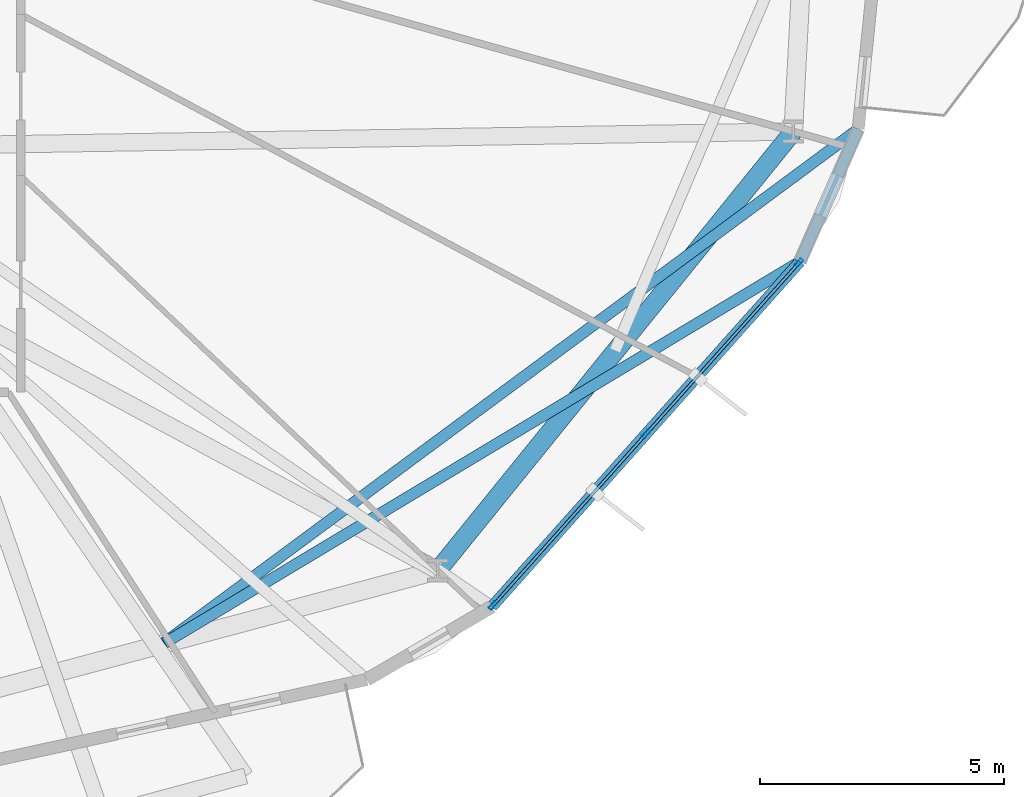
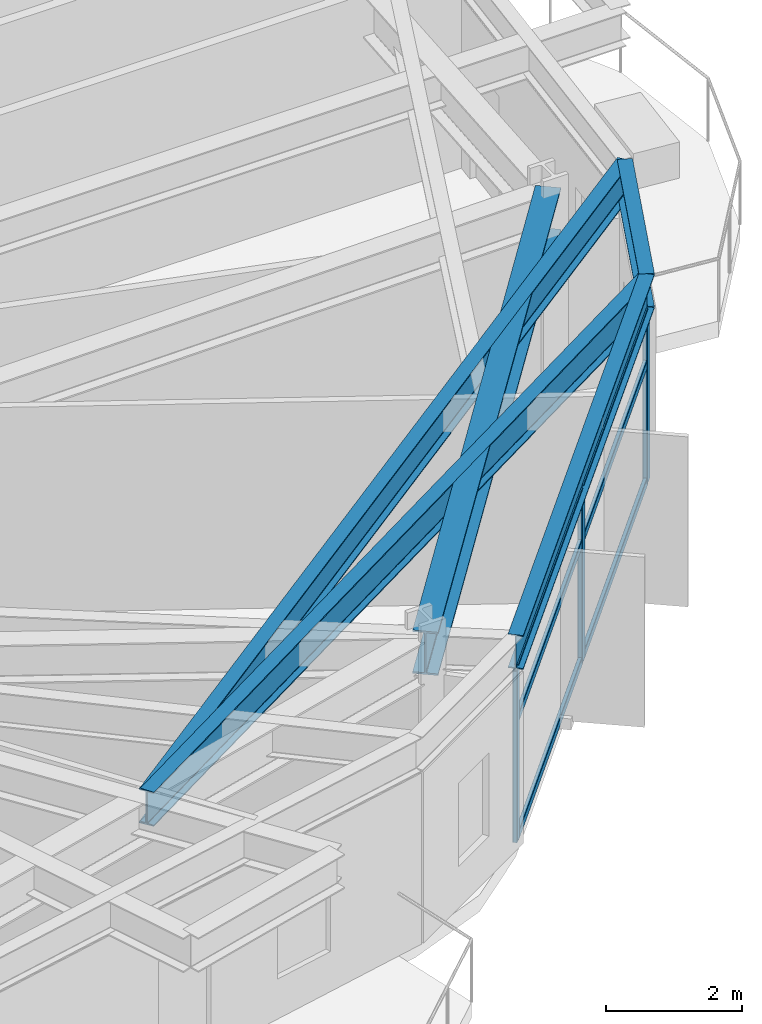
# One storey, part 8 of 22: 9 members, 5 beams, 1 element without a shape of its own.
"""IFC4 building model written with IfcOpenShell, lengths in metres."""

from ifc_helpers import new_model, si_unit, direction, frame, origin, origin_2d, place, context, subcontext, project, spatial, hollow_rectangle, i_section, extrude, material, layer, layer_set, material_profile, profile_set, type_object, element, aggregate, save


model = new_model("IFC4")

# Units and contexts
model_context = context("Model", 3, precision=1e-05, world=origin(), true_north=direction((0.0, 1.0)))
body_context = subcontext(model_context, "Body", "Model", "MODEL_VIEW")
ifc_project = project(units=[si_unit("LENGTHUNIT", "METRE"), si_unit("AREAUNIT", "SQUARE_METRE"), si_unit("VOLUMEUNIT", "CUBIC_METRE"), si_unit("PLANEANGLEUNIT", "RADIAN"), si_unit("MASSUNIT", "GRAM", prefix="KILO")], contexts=[model_context])

# Site, building, storey
site_placement = place(None, origin())
site = spatial("IfcSite", under=ifc_project, at=site_placement, CompositionType="ELEMENT")
building_placement = place(site_placement, origin())
building = spatial("IfcBuilding", under=site, at=building_placement, Name="Soratama Intermodal Tower", CompositionType="ELEMENT")
storey_placement = place(building_placement, frame((0.0, 0.0, 74.60009765625)))
storey = spatial("IfcBuildingStorey", under=building, at=storey_placement, Name="L17", CompositionType="ELEMENT", Elevation=74.60009765625)

# Beams
ifc_material_1 = material(Name="Structural steel ASTM A992 Grade 50", Category="steel")
ifc_material_profile_1 = material_profile(ifc_material_1, i_section(OverallWidth=0.382080078125, OverallDepth=0.779052734375, WebThickness=0.01806640625, FlangeThickness=0.030029296875, FilletRadius=0.01806640625, at=origin_2d()), Name="W30X191")
ifc_profile_set_1 = profile_set([ifc_material_profile_1], Name="Structural steel ASTM A992 Grade 50")
beam_type_1 = type_object("IfcBeamType", Name="BM-RING-W30X191", PredefinedType="BEAM", material=ifc_profile_set_1)
beam_1_placement = place(storey_placement, frame((55.196044921875, 9.300048828125, 3.310302734375), z_axis=(0.629334198857, 0.777134779912, 0.0), x_axis=(-0.777134779912, 0.629334198857, 0.0)))
element("IfcBeam", 1, at=beam_1_placement, inside=storey, type_object=beam_type_1, Name="BM-L17-RING-09", PredefinedType="BEAM", context=body_context, shape_type="SweptSolid", body=[
    extrude(i_section(OverallWidth=0.382080078125, OverallDepth=0.779052734375, WebThickness=0.01806640625, FlangeThickness=0.030029296875, FilletRadius=0.01806640625, at=origin_2d()), origin(), (0.0, 0.0, 1.0), 11.5693359375),
])
ifc_material_2 = material(Name="Structural steel ASTM A992 Grade 50", Category="steel")
ifc_material_profile_2 = material_profile(ifc_material_2, i_section(OverallWidth=0.22900390625, OverallDepth=0.612060546875, WebThickness=0.011962890625, FlangeThickness=0.01953125, FilletRadius=0.012939453125, at=origin_2d()), Name="W24X84")
ifc_profile_set_2 = profile_set([ifc_material_profile_2], Name="Structural steel ASTM A992 Grade 50")
beam_type_2 = type_object("IfcBeamType", Name="BM-SPN-W24X84", PredefinedType="SPANDREL", material=ifc_profile_set_2)
beam_2_placement = place(storey_placement, frame((56.302978515625, 8.555908203125, 3.393798828125), z_axis=(0.666034710747, 0.745920749195, 0.0), x_axis=(-0.745920749195, 0.666034710747, 0.0)))
element("IfcBeam", 2, at=beam_2_placement, inside=storey, type_object=beam_type_2, Name="BS-L17-F09", PredefinedType="SPANDREL", context=body_context, shape_type="SweptSolid", body=[
    extrude(i_section(OverallWidth=0.22900390625, OverallDepth=0.612060546875, WebThickness=0.011962890625, FlangeThickness=0.01953125, FilletRadius=0.012939453125, at=origin_2d()), origin(), (0.0, 0.0, 1.0), 9.47705078125),
])
beam_3_placement = place(storey_placement, frame((62.614990234375, 15.625, 3.393798828125), z_axis=(0.402859965055, 0.915261628473, 0.0), x_axis=(-0.915261628473, 0.402859965055, 0.0)))
element("IfcBeam", 3, at=beam_3_placement, inside=storey, type_object=beam_type_2, Name="BS-L17-CRN09", PredefinedType="SPANDREL", context=body_context, shape_type="SweptSolid", body=[
    extrude(i_section(OverallWidth=0.22900390625, OverallDepth=0.612060546875, WebThickness=0.011962890625, FlangeThickness=0.01953125, FilletRadius=0.012939453125, at=origin_2d()), origin(), (0.0, 0.0, 1.0), 2.966552734375),
])
ifc_material_3 = material(Name="Structural steel ASTM A992 Grade 50", Category="steel")
ifc_material_profile_3 = material_profile(ifc_material_3, i_section(OverallWidth=0.22900390625, OverallDepth=0.612060546875, WebThickness=0.011962890625, FlangeThickness=0.01953125, FilletRadius=0.012939453125, at=origin_2d()), Name="W24X84")
ifc_profile_set_3 = profile_set([ifc_material_profile_3], Name="Structural steel ASTM A992 Grade 50")
beam_type_3 = type_object("IfcBeamType", Name="BM-TIE-W24X84", PredefinedType="BEAM", material=ifc_profile_set_3)
beam_4_placement = place(storey_placement, frame((49.60107421875, 7.81201171875, 3.393798828125), z_axis=(0.857358074435, 0.514720440823, 0.0), x_axis=(-0.514720440823, 0.857358074435, 0.0)))
element("IfcBeam", 4, at=beam_4_placement, inside=storey, type_object=beam_type_3, Name="BM-L17-TIE1-09", PredefinedType="BEAM", context=body_context, shape_type="SweptSolid", body=[
    extrude(i_section(OverallWidth=0.22900390625, OverallDepth=0.612060546875, WebThickness=0.011962890625, FlangeThickness=0.01953125, FilletRadius=0.012939453125, at=origin_2d()), origin(), (0.0, 0.0, 1.0), 15.17919921875),
])
beam_5_placement = place(storey_placement, frame((49.5830078125, 7.81103515625, 3.393798828125), z_axis=(0.80381393301, 0.594880795705, 0.0), x_axis=(-0.594880795705, 0.80381393301, 0.0)))
element("IfcBeam", 5, at=beam_5_placement, inside=storey, type_object=beam_type_3, Name="BM-L17-TIE0-10", PredefinedType="BEAM", context=body_context, shape_type="SweptSolid", body=[
    extrude(i_section(OverallWidth=0.22900390625, OverallDepth=0.612060546875, WebThickness=0.011962890625, FlangeThickness=0.01953125, FilletRadius=0.012939453125, at=origin_2d()), origin(), (0.0, 0.0, 1.0), 17.699462890625),
])

# Curtain wall, members
ifc_material_4 = material(Name="Double-glazed aluminium curtain wall", Category="aluminium")
ifc_layer = layer(ifc_material_4, 0.159912109375)
ifc_layer_set = layer_set([ifc_layer], Name="Double-glazed aluminium curtain wall")
curtain_wall_type = type_object("IfcCurtainWallType", Name="CW-SYS-2", PredefinedType="NOTDEFINED", material=ifc_layer_set)
curtain_wall_placement = place(storey_placement, origin())
curtain_wall = element("IfcCurtainWall", 6, at=curtain_wall_placement, inside=storey, type_object=curtain_wall_type, Name="L17 Faceted Curtain Wall F09", PredefinedType="NOTDEFINED")
ifc_material_5 = material(Name="Anodised aluminium AA 6063-T6", Category="aluminium")
ifc_material_profile_4 = material_profile(ifc_material_5, hollow_rectangle(XDim=0.074951171875, YDim=0.179931640625, WallThickness=0.006103515625, InnerFilletRadius=0.006103515625, OuterFilletRadius=0.011962890625, at=origin_2d()), Name="CWM180X75X6")
ifc_profile_set_4 = profile_set([ifc_material_profile_4], Name="Anodised aluminium AA 6063-T6")
member_type_1 = type_object("IfcMemberType", Name="MT-CWM-2", PredefinedType="MULLION", material=ifc_profile_set_4)
member_1_placement = place(storey_placement, frame((56.322998046875, 8.578125, 0.0), z_axis=(0.0, 0.0, 1.0), x_axis=(-0.745936912726, 0.666016608076, 0.0)))
member_1 = element("IfcMember", 7, at=member_1_placement, type_object=member_type_1, Name="CW-2 mullion 1", PredefinedType="MULLION", context=body_context, shape_type="SweptSolid", body=[
    extrude(hollow_rectangle(XDim=0.074951171875, YDim=0.179931640625, WallThickness=0.006103515625, InnerFilletRadius=0.006103515625, OuterFilletRadius=0.011962890625, at=origin_2d()), origin(), (0.0, 0.0, 1.0), 3.078857421875),
])
member_2_placement = place(storey_placement, frame((59.458984375, 12.09033203125, 0.0), z_axis=(0.0, 0.0, 1.0), x_axis=(-0.745936912726, 0.666016608076, 0.0)))
member_2 = element("IfcMember", 8, at=member_2_placement, type_object=member_type_1, Name="CW-2 mullion 2", PredefinedType="MULLION", context=body_context, shape_type="SweptSolid", body=[
    extrude(hollow_rectangle(XDim=0.074951171875, YDim=0.179931640625, WallThickness=0.006103515625, InnerFilletRadius=0.006103515625, OuterFilletRadius=0.011962890625, at=origin_2d()), origin(), (0.0, 0.0, 1.0), 3.078857421875),
])
member_3_placement = place(storey_placement, frame((62.594970703125, 15.6025390625, 0.0), z_axis=(0.0, 0.0, 1.0), x_axis=(-0.745936912726, 0.666016608076, 0.0)))
member_3 = element("IfcMember", 9, at=member_3_placement, type_object=member_type_1, Name="CW-2 mullion 3", PredefinedType="MULLION", context=body_context, shape_type="SweptSolid", body=[
    extrude(hollow_rectangle(XDim=0.074951171875, YDim=0.179931640625, WallThickness=0.006103515625, InnerFilletRadius=0.006103515625, OuterFilletRadius=0.011962890625, at=origin_2d()), origin(), (0.0, 0.0, 1.0), 3.078857421875),
])
ifc_material_6 = material(Name="Anodised aluminium AA 6063-T6", Category="aluminium")
ifc_material_profile_5 = material_profile(ifc_material_6, hollow_rectangle(XDim=0.06494140625, YDim=0.14990234375, WallThickness=0.0048828125, InnerFilletRadius=0.0048828125, OuterFilletRadius=0.010009765625, at=origin_2d()), Name="CWT150X65X5")
ifc_profile_set_5 = profile_set([ifc_material_profile_5], Name="Anodised aluminium AA 6063-T6")
member_type_2 = type_object("IfcMemberType", Name="TT-CWT-1", PredefinedType="USERDEFINED", material=ifc_profile_set_5)
member_4_placement = place(storey_placement, frame((56.343017578125, 8.600341796875, 0.02978515625), z_axis=(0.666008463417, 0.745944184679, 0.0), x_axis=(-0.745944184679, 0.666008463417, 0.0)))
member_4 = element("IfcMember", 10, at=member_4_placement, type_object=member_type_2, Name="CW-2 transom 1.1", ObjectType="TRANSOM", PredefinedType="USERDEFINED", context=body_context, shape_type="SweptSolid", body=[
    extrude(hollow_rectangle(XDim=0.06494140625, YDim=0.14990234375, WallThickness=0.0048828125, InnerFilletRadius=0.0048828125, OuterFilletRadius=0.010009765625, at=origin_2d()), origin(), (0.0, 0.0, 1.0), 4.6484375),
])
member_5_placement = place(storey_placement, frame((56.343017578125, 8.600341796875, 2.14990234375), z_axis=(0.666008463417, 0.745944184679, 0.0), x_axis=(-0.745944184679, 0.666008463417, 0.0)))
member_5 = element("IfcMember", 11, at=member_5_placement, type_object=member_type_2, Name="CW-2 transom 1.2", ObjectType="TRANSOM", PredefinedType="USERDEFINED", context=body_context, shape_type="SweptSolid", body=[
    extrude(hollow_rectangle(XDim=0.06494140625, YDim=0.14990234375, WallThickness=0.0048828125, InnerFilletRadius=0.0048828125, OuterFilletRadius=0.010009765625, at=origin_2d()), origin(), (0.0, 0.0, 1.0), 4.6484375),
])
member_6_placement = place(storey_placement, frame((56.343017578125, 8.600341796875, 3.048828125), z_axis=(0.666008463417, 0.745944184679, 0.0), x_axis=(-0.745944184679, 0.666008463417, 0.0)))
member_6 = element("IfcMember", 12, at=member_6_placement, type_object=member_type_2, Name="CW-2 transom 1.3", ObjectType="TRANSOM", PredefinedType="USERDEFINED", context=body_context, shape_type="SweptSolid", body=[
    extrude(hollow_rectangle(XDim=0.06494140625, YDim=0.14990234375, WallThickness=0.0048828125, InnerFilletRadius=0.0048828125, OuterFilletRadius=0.010009765625, at=origin_2d()), origin(), (0.0, 0.0, 1.0), 4.6484375),
])
member_7_placement = place(storey_placement, frame((59.47900390625, 12.11279296875, 0.02978515625), z_axis=(0.66603455633, 0.745920887075, 0.0), x_axis=(-0.745920887075, 0.66603455633, 0.0)))
member_7 = element("IfcMember", 13, at=member_7_placement, type_object=member_type_2, Name="CW-2 transom 2.1", ObjectType="TRANSOM", PredefinedType="USERDEFINED", context=body_context, shape_type="SweptSolid", body=[
    extrude(hollow_rectangle(XDim=0.06494140625, YDim=0.14990234375, WallThickness=0.0048828125, InnerFilletRadius=0.0048828125, OuterFilletRadius=0.010009765625, at=origin_2d()), origin(), (0.0, 0.0, 1.0), 4.6484375),
])
member_8_placement = place(storey_placement, frame((59.47900390625, 12.11279296875, 2.14990234375), z_axis=(0.66603455633, 0.745920887075, 0.0), x_axis=(-0.745920887075, 0.66603455633, 0.0)))
member_8 = element("IfcMember", 14, at=member_8_placement, type_object=member_type_2, Name="CW-2 transom 2.2", ObjectType="TRANSOM", PredefinedType="USERDEFINED", context=body_context, shape_type="SweptSolid", body=[
    extrude(hollow_rectangle(XDim=0.06494140625, YDim=0.14990234375, WallThickness=0.0048828125, InnerFilletRadius=0.0048828125, OuterFilletRadius=0.010009765625, at=origin_2d()), origin(), (0.0, 0.0, 1.0), 4.6484375),
])
member_9_placement = place(storey_placement, frame((59.47900390625, 12.11279296875, 3.048828125), z_axis=(0.66603455633, 0.745920887075, 0.0), x_axis=(-0.745920887075, 0.66603455633, 0.0)))
member_9 = element("IfcMember", 15, at=member_9_placement, type_object=member_type_2, Name="CW-2 transom 2.3", ObjectType="TRANSOM", PredefinedType="USERDEFINED", context=body_context, shape_type="SweptSolid", body=[
    extrude(hollow_rectangle(XDim=0.06494140625, YDim=0.14990234375, WallThickness=0.0048828125, InnerFilletRadius=0.0048828125, OuterFilletRadius=0.010009765625, at=origin_2d()), origin(), (0.0, 0.0, 1.0), 4.6484375),
])
aggregate(curtain_wall, [member_1, member_2, member_3, member_4, member_5, member_6, member_7, member_8, member_9])

save(model, "model.ifc")
